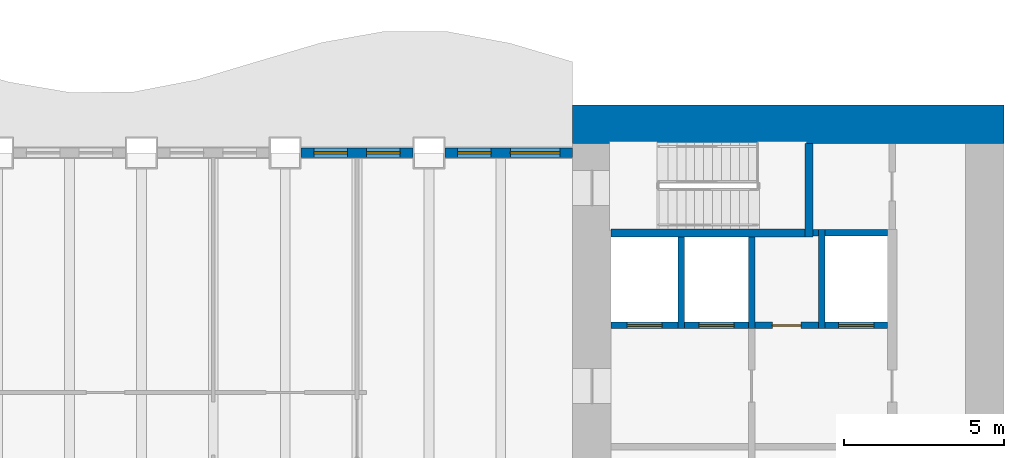
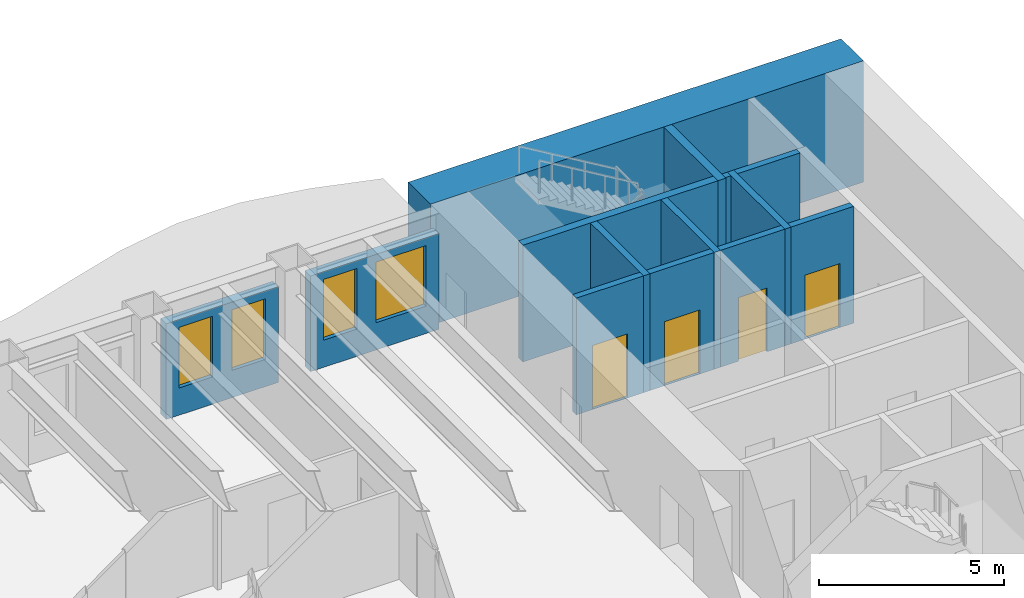
# One storey, part 7 of 16: 14 walls, 4 doors, 4 windows, 8 openings.
"""IFC4 building model written with IfcOpenShell, lengths in metres."""

import ifcopenshell
import ifcopenshell.guid

model = None  # the IFC model being written
_history = None  # IfcOwnerHistory: only IFC2X3 demands one
_inside = {}  # id of a spatial element -> (the spatial element, [elements in it])
_under = {}  # id of a project, library or spatial element -> (it, [spatial elements below it])
_declared = {}  # id of a project -> (the project, [libraries it declares])
_typed = {}  # id of a type object -> (the type object, [elements of that type])
_made_of = {}  # id of a material, layer set ... -> (it, [elements and type objects made of it])


def new_model(schema):
    """Start an empty IFC model of exactly this schema.

    Asked for "IFC4X3", IfcOpenShell would pick the latest addendum, in which some entities
    have other attributes; the version numbers below select the first issue.
    IFC2X3 requires an IfcOwnerHistory on every rooted entity: one is made here for all.
    """
    global model, _history
    if schema == "IFC4X3":
        model = ifcopenshell.file(schema_version=(4, 3, 0, 0))
    else:
        model = ifcopenshell.file(schema=schema)
    _inside.clear()
    _under.clear()
    _declared.clear()
    _typed.clear()
    _made_of.clear()
    _history = None
    if model.schema == "IFC2X3":
        org = make("IfcOrganization", Name="unknown")
        user = make(
            "IfcPersonAndOrganization",
            ThePerson=make("IfcPerson", FamilyName="unknown"),
            TheOrganization=org,
        )
        app = make(
            "IfcApplication",
            ApplicationDeveloper=org,
            Version="unknown",
            ApplicationFullName="unknown",
            ApplicationIdentifier="unknown",
        )
        _history = make(
            "IfcOwnerHistory",
            OwningUser=user,
            OwningApplication=app,
            ChangeAction="ADDED",
            CreationDate=0,
        )
    return model


def make(cls, **values):
    """One entity of the class cls with the attributes given. An attribute that is None is left unset."""
    return model.create_entity(
        cls, **{name: value for name, value in values.items() if value is not None}
    )


def rooted(cls, **values):
    """An entity with a GlobalId (a new one), such as an element, a storey or a relation."""
    return make(cls, GlobalId=ifcopenshell.guid.new(), OwnerHistory=_history, **values)


def si_unit(unit_type, name, prefix=None):
    """IfcSIUnit, for example si_unit("LENGTHUNIT", "METRE", prefix="MILLI")."""
    return make("IfcSIUnit", UnitType=unit_type, Prefix=prefix, Name=name)


def assignment(units):
    """IfcUnitAssignment: the units of a project."""
    return None if units is None else make("IfcUnitAssignment", Units=units)


def point(xyz):
    """IfcCartesianPoint."""
    return None if xyz is None else make("IfcCartesianPoint", Coordinates=xyz)


def direction(xyz):
    """IfcDirection."""
    return None if xyz is None else make("IfcDirection", DirectionRatios=xyz)


def frame(location, z_axis=None, x_axis=None):
    """IfcAxis2Placement3D, a coordinate frame: its origin and axes. An axis left out is left unset."""
    return make(
        "IfcAxis2Placement3D",
        Location=point(location),
        Axis=direction(z_axis),
        RefDirection=direction(x_axis),
    )


def frame_2d(location, x_axis=None):
    """IfcAxis2Placement2D, a coordinate frame in the plane: its origin and x axis."""
    return make(
        "IfcAxis2Placement2D", Location=point(location), RefDirection=direction(x_axis)
    )


def origin():
    """The frame at (0, 0, 0) with its axes left unset."""
    return frame((0.0, 0.0, 0.0))


def place(relative_to, where):
    """IfcLocalPlacement: puts the frame where relative to a parent placement (None: the world)."""
    return make(
        "IfcLocalPlacement", PlacementRelTo=relative_to, RelativePlacement=where
    )


def context(
    kind, dimensions, precision=None, world=None, true_north=None, identifier=None
):
    """IfcGeometricRepresentationContext, for example the 3D "Model" context."""
    return make(
        "IfcGeometricRepresentationContext",
        ContextIdentifier=identifier,
        ContextType=kind,
        CoordinateSpaceDimension=dimensions,
        Precision=precision,
        WorldCoordinateSystem=world,
        TrueNorth=true_north,
    )


def subcontext(parent, identifier, kind, view, scale=None):
    """IfcGeometricRepresentationSubContext, for example "Body" below "Model"."""
    return make(
        "IfcGeometricRepresentationSubContext",
        ContextIdentifier=identifier,
        ContextType=kind,
        ParentContext=parent,
        TargetScale=scale,
        TargetView=view,
    )


def project(units=None, contexts=None):
    """IfcProject with its units and contexts."""
    return rooted(
        "IfcProject",
        Name="project",
        RepresentationContexts=contexts,
        UnitsInContext=assignment(units),
    )


def spatial(cls, under=None, at=None, **own):
    """A site, building, storey or space (cls), placed at a placement, below another one or the project."""
    s = rooted(cls, ObjectPlacement=at, **own)
    if under is not None:
        _under.setdefault(under.id(), (under, []))[1].append(s)
    return s


def profile(cls, at=None, kind="AREA", **sizes):
    """A parametric profile (cls). Its sizes go by their IFC names, for example OverallWidth=200.0."""
    return make(cls, ProfileType=kind, Position=at, **sizes)


def rectangle(**sizes):
    """IfcRectangleProfileDef."""
    return profile("IfcRectangleProfileDef", **sizes)


def extrude(swept, where, along, depth):
    """IfcExtrudedAreaSolid: the profile swept, set in the frame where, extruded along a direction by depth."""
    return make(
        "IfcExtrudedAreaSolid",
        SweptArea=swept,
        Position=where,
        ExtrudedDirection=direction(along),
        Depth=depth,
    )


def shape(context_of_items, identifier, shape_type, items):
    """IfcShapeRepresentation: the items that make up one representation, for example the "Body"."""
    return make(
        "IfcShapeRepresentation",
        ContextOfItems=context_of_items,
        RepresentationIdentifier=identifier,
        RepresentationType=shape_type,
        Items=items,
    )


def material(Name=None, Category=None):
    """IfcMaterial."""
    return make("IfcMaterial", Name=Name, Category=Category)


def layer(
    of_material, thickness, ventilated=None, Name=None, Category=None, Priority=None
):
    """IfcMaterialLayer: one layer of a wall or slab, of a material (None: an air gap)."""
    return make(
        "IfcMaterialLayer",
        Material=of_material,
        LayerThickness=thickness,
        IsVentilated=ventilated,
        Name=Name,
        Category=Category,
        Priority=Priority,
    )


def layer_set(layers, Name=None):
    """IfcMaterialLayerSet."""
    return make("IfcMaterialLayerSet", MaterialLayers=layers, LayerSetName=Name)


def made_of(thing, what):
    """Note that an element or type object is made of a material, layer set ...; save() writes the relation."""
    if what is not None:
        _made_of.setdefault(what.id(), (what, []))[1].append(thing)
    return thing


def type_object(cls, material=None, **own):
    """A type object (cls), such as IfcWallType, which elements share."""
    return made_of(rooted(cls, **own), material)


def element(
    cls,
    number,
    at=None,
    inside=None,
    cuts=None,
    type_object=None,
    material=None,
    context=None,
    identifier="Body",
    shape_type=None,
    held_by="IfcProductDefinitionShape",
    body=None,
    shapes=None,
    **own,
):
    """One element of the class cls, such as IfcWall. Its Tag is "e" and its number.

    at: its placement. inside: the storey or other place that contains it. cuts: it is an
    opening in that element (IfcRelVoidsElement). A single representation is given by context,
    identifier, shape_type and body (its items); several are given by shapes. held_by: the class
    of the entity that holds the representations. save() writes the other relations.
    """
    e = rooted(cls, Tag="e%d" % number, ObjectPlacement=at, **own)
    if body is not None:
        shapes = [shape(context, identifier, shape_type, body)]
    if shapes is not None:
        e.Representation = make(held_by, Representations=shapes)
    if inside is not None:
        _inside.setdefault(inside.id(), (inside, []))[1].append(e)
    if cuts is not None:
        rooted(
            "IfcRelVoidsElement", RelatingBuildingElement=cuts, RelatedOpeningElement=e
        )
    if type_object is not None:
        _typed.setdefault(type_object.id(), (type_object, []))[1].append(e)
    return made_of(e, material)


def fill(opening, filler):
    """IfcRelFillsElement: the door or window that sits in an opening."""
    return rooted(
        "IfcRelFillsElement",
        RelatingOpeningElement=opening,
        RelatedBuildingElement=filler,
    )


def aggregate(whole, parts):
    """IfcRelAggregates: a whole, such as a stair, and the parts it consists of."""
    return rooted("IfcRelAggregates", RelatingObject=whole, RelatedObjects=parts)


def save(model, path):
    """Write the relations noted so far, then the file.

    IfcRelAggregates (storeys below a building ...), IfcRelContainedInSpatialStructure (elements
    in a storey), IfcRelDefinesByType, IfcRelAssociatesMaterial and IfcRelDeclares: one each for
    every whole, place, type object, material and project.
    """
    for whole, parts in _under.values():
        aggregate(whole, parts)
    for where, things in _inside.values():
        rooted(
            "IfcRelContainedInSpatialStructure",
            RelatedElements=things,
            RelatingStructure=where,
        )
    for kind, things in _typed.values():
        rooted("IfcRelDefinesByType", RelatedObjects=things, RelatingType=kind)
    for what, things in _made_of.values():
        rooted("IfcRelAssociatesMaterial", RelatedObjects=things, RelatingMaterial=what)
    for by, libraries in _declared.values():
        rooted("IfcRelDeclares", RelatingContext=by, RelatedDefinitions=libraries)
    model.write(path)


model = new_model("IFC4")

# Units and contexts
model_context = context("Model", 3, precision=1e-05, world=origin(), true_north=direction((0.0, 1.0)))
body_context = subcontext(model_context, "Body", "Model", "MODEL_VIEW")
ifc_project = project(units=[si_unit("LENGTHUNIT", "METRE"), si_unit("AREAUNIT", "SQUARE_METRE"), si_unit("VOLUMEUNIT", "CUBIC_METRE"), si_unit("PLANEANGLEUNIT", "RADIAN"), si_unit("MASSUNIT", "GRAM", prefix="KILO")], contexts=[model_context])

# Site, building, storey
site_placement = place(None, origin())
site = spatial("IfcSite", under=ifc_project, at=site_placement, CompositionType="ELEMENT")
building_placement = place(site_placement, origin())
building = spatial("IfcBuilding", under=site, at=building_placement, Name="Sennacour Bend Tower", CompositionType="ELEMENT")
storey_placement = place(building_placement, frame((0.0, 0.0, 91.0)))
storey = spatial("IfcBuildingStorey", under=building, at=storey_placement, Name="L20", CompositionType="ELEMENT", Elevation=91.0)

# Wall
ifc_material_1 = material(Name="Concrete C80/95", Category="concrete")
ifc_layer_1 = layer(ifc_material_1, 1.199951171875, Name="Concrete C80/95", Category="concrete")
ifc_layer_set_1 = layer_set([ifc_layer_1], Name="Concrete C80/95")
wall_type_1 = type_object("IfcWallType", Name="Core wall 1200 C80/95", PredefinedType="SHEAR", material=ifc_layer_set_1)
wall_1_placement = place(storey_placement, frame((54.0, 21.89990234375, -0.14990234375), z_axis=(0.0, 0.0, 1.0), x_axis=(1.0, 0.0, 0.0)))
element("IfcWall", 1, at=wall_1_placement, inside=storey, type_object=wall_type_1, Name="Core A wall L20 N", PredefinedType="SHEAR", context=body_context, shape_type="SweptSolid", body=[
    extrude(rectangle(XDim=13.5, YDim=1.199951171875, at=frame_2d((6.75, 0.0))), origin(), (0.0, 0.0, 1.0), 4.0),
])

# Wall, opening, door
ifc_material_2 = material(Name="Fire-rated plasterboard partition on steel studs", Category="steel")
ifc_layer_2 = layer(ifc_material_2, 0.199951171875, Name="Fire-rated plasterboard partition on steel studs", Category="steel")
ifc_layer_set_2 = layer_set([ifc_layer_2], Name="Fire-rated plasterboard partition on steel studs")
wall_type_2 = type_object("IfcWallType", Name="Rated partition 200", PredefinedType="PARTITIONING", material=ifc_layer_set_2)
wall_2_placement = place(storey_placement, frame((59.699951171875, 15.60009765625, 0.0), z_axis=(0.0, 0.0, 1.0), x_axis=(1.0, 0.0, 0.0)))
wall_2 = element("IfcWall", 2, at=wall_2_placement, inside=storey, type_object=wall_type_2, Name="P-L20-W062", PredefinedType="PARTITIONING", context=body_context, shape_type="SweptSolid", body=[
    extrude(rectangle(XDim=2.0, YDim=0.199951171875, at=frame_2d((1.0, 0.0))), origin(), (0.0, 0.0, 1.0), 3.85009765625),
])
opening_1_placement = place(wall_2_placement, frame((0.550048828125, 0.0, 0.0)))
opening_1 = element("IfcOpeningElement", 3, at=opening_1_placement, cuts=wall_2, Name="Opening SV", PredefinedType="OPENING", context=body_context, shape_type="SweptSolid", body=[
    extrude(rectangle(XDim=0.89990234375, YDim=2.10009765625, at=frame_2d((0.449951171875, 1.050048828125))), frame((0.0, 0.10986328125, 0.0), z_axis=(0.0, -1.0, 0.0), x_axis=(1.0, 0.0, 0.0)), (0.0, 0.0, 1.0), 0.219970703125),
])
ifc_material_3 = material(Name="Painted steel", Category="steel")
door_type_1 = type_object("IfcDoorType", Name="DR-SERVICE-900", OperationType="NOTDEFINED", PredefinedType="DOOR", material=ifc_material_3)
door_1_placement = place(opening_1_placement, origin())
door_1 = element("IfcDoor", 4, at=door_1_placement, inside=storey, type_object=door_type_1, Name="Door", OperationType="SINGLE_SWING_LEFT", OverallHeight=2.10009765625, OverallWidth=0.89990234375, PredefinedType="DOOR", context=body_context, shape_type="SweptSolid", body=[
    extrude(rectangle(XDim=0.89990234375, YDim=2.10009765625, at=frame_2d((0.449951171875, 1.050048828125))), frame((0.0, 0.02490234375, 0.0), z_axis=(0.0, -1.0, 0.0), x_axis=(1.0, 0.0, 0.0)), (0.0, 0.0, 1.0), 0.050048828125),
])
fill(opening_1, door_1)

# Wall
wall_3_placement = place(storey_placement, frame((61.52490234375, 18.5, 0.0), z_axis=(0.0, 0.0, 1.0), x_axis=(1.0, 0.0, 0.0)))
element("IfcWall", 5, at=wall_3_placement, inside=storey, type_object=wall_type_2, Name="P-L20-W065", PredefinedType="PARTITIONING", context=body_context, shape_type="SweptSolid", body=[
    extrude(rectangle(XDim=0.175048828125, YDim=0.199951171875, at=frame_2d((0.08740234375, 0.0))), origin(), (0.0, 0.0, 1.0), 3.85009765625),
])

# Wall, openings, windows
ifc_material_4 = material(Name="Warm limestone cladding", Category="masonry")
ifc_layer_3 = layer(ifc_material_4, 0.050048828125, Name="Warm limestone cladding", Category="masonry")
ifc_material_5 = material(Name="Precast concrete C40/50", Category="concrete")
ifc_layer_4 = layer(ifc_material_5, 0.25, Name="Precast concrete C40/50", Category="concrete")
ifc_layer_set_3 = layer_set([ifc_layer_3, ifc_layer_4], Name="Precast concrete C40/50 with limestone cladding")
wall_type_3 = type_object("IfcWallType", Name="STONE-CLAD PRECAST SPANDREL 300", PredefinedType="STANDARD", material=ifc_layer_set_3)
wall_4_placement = place(storey_placement, frame((54.0, 21.0, 0.0), z_axis=(0.0, 0.0, 1.0), x_axis=(-1.0, 0.0, 0.0)))
wall_4 = element("IfcWall", 6, at=wall_4_placement, inside=storey, type_object=wall_type_3, Name="Stone spandrel and pier wall L20 06.00", PredefinedType="STANDARD", context=body_context, shape_type="SweptSolid", body=[
    extrude(rectangle(XDim=4.0, YDim=0.300048828125, at=frame_2d((2.0, 0.0))), origin(), (0.0, 0.0, 1.0), 3.154052734375),
])
opening_2_placement = place(wall_4_placement, frame((0.39990234375, 0.0, 0.89990234375)))
opening_2 = element("IfcOpeningElement", 7, at=opening_2_placement, cuts=wall_4, Name="Opening W9", PredefinedType="OPENING", context=body_context, shape_type="SweptSolid", body=[
    extrude(rectangle(XDim=1.550048828125, YDim=2.0, at=frame_2d((0.77490234375, 1.0))), frame((0.0, 0.16015625, 0.0), z_axis=(0.0, -1.0, 0.0), x_axis=(1.0, 0.0, 0.0)), (0.0, 0.0, 1.0), 0.320068359375),
])
opening_3_placement = place(wall_4_placement, frame((2.550048828125, 0.0, 0.89990234375)))
opening_3 = element("IfcOpeningElement", 8, at=opening_3_placement, cuts=wall_4, Name="Opening W13", PredefinedType="OPENING", context=body_context, shape_type="SweptSolid", body=[
    extrude(rectangle(XDim=1.050048828125, YDim=2.0, at=frame_2d((0.52490234375, 1.0))), frame((0.0, 0.16015625, 0.0), z_axis=(0.0, -1.0, 0.0), x_axis=(1.0, 0.0, 0.0)), (0.0, 0.0, 1.0), 0.320068359375),
])
ifc_material_6 = material(Name="Clear low-emissivity glass", Category="glass")
window_type_1 = type_object("IfcWindowType", Name="WIN-RIBBON-1050x2000", PartitioningType="SINGLE_PANEL", PredefinedType="WINDOW", material=ifc_material_6)
window_1_placement = place(opening_3_placement, origin())
window_1 = element("IfcWindow", 9, at=window_1_placement, inside=storey, type_object=window_type_1, Name="Ribbon window L20 06.00.1", OverallHeight=2.0, OverallWidth=1.050048828125, PartitioningType="SINGLE_PANEL", PredefinedType="WINDOW", context=body_context, shape_type="SweptSolid", body=[
    extrude(rectangle(XDim=1.050048828125, YDim=2.0, at=frame_2d((0.52490234375, 1.0))), frame((0.0, 0.030029296875, 0.0), z_axis=(0.0, -1.0, 0.0), x_axis=(1.0, 0.0, 0.0)), (0.0, 0.0, 1.0), 0.06005859375),
])
fill(opening_3, window_1)
window_type_2 = type_object("IfcWindowType", Name="WIN-RIBBON-1550x2000", PartitioningType="SINGLE_PANEL", PredefinedType="WINDOW", material=ifc_material_6)
window_2_placement = place(opening_2_placement, origin())
window_2 = element("IfcWindow", 10, at=window_2_placement, inside=storey, type_object=window_type_2, Name="Ribbon window L20 06.00.0", OverallHeight=2.0, OverallWidth=1.550048828125, PartitioningType="SINGLE_PANEL", PredefinedType="WINDOW", context=body_context, shape_type="SweptSolid", body=[
    extrude(rectangle(XDim=1.550048828125, YDim=2.0, at=frame_2d((0.77490234375, 1.0))), frame((0.0, 0.030029296875, 0.0), z_axis=(0.0, -1.0, 0.0), x_axis=(1.0, 0.0, 0.0)), (0.0, 0.0, 1.0), 0.06005859375),
])
fill(opening_2, window_2)

wall_5_placement = place(storey_placement, frame((49.0, 21.0, 0.0), z_axis=(0.0, 0.0, 1.0), x_axis=(-1.0, 0.0, 0.0)))
wall_5 = element("IfcWall", 11, at=wall_5_placement, inside=storey, type_object=wall_type_3, Name="Stone spandrel and pier wall L20 06.01", PredefinedType="STANDARD", context=body_context, shape_type="SweptSolid", body=[
    extrude(rectangle(XDim=3.5, YDim=0.300048828125, at=frame_2d((1.75, 0.0))), origin(), (0.0, 0.0, 1.0), 3.154052734375),
])
opening_4_placement = place(wall_5_placement, frame((0.39990234375, 0.0, 0.89990234375)))
opening_4 = element("IfcOpeningElement", 12, at=opening_4_placement, cuts=wall_5, Name="Opening W13", PredefinedType="OPENING", context=body_context, shape_type="SweptSolid", body=[
    extrude(rectangle(XDim=1.050048828125, YDim=2.0, at=frame_2d((0.52490234375, 1.0))), frame((0.0, 0.16015625, 0.0), z_axis=(0.0, -1.0, 0.0), x_axis=(1.0, 0.0, 0.0)), (0.0, 0.0, 1.0), 0.320068359375),
])
opening_5_placement = place(wall_5_placement, frame((2.050048828125, 0.0, 0.89990234375)))
opening_5 = element("IfcOpeningElement", 13, at=opening_5_placement, cuts=wall_5, Name="Opening W13", PredefinedType="OPENING", context=body_context, shape_type="SweptSolid", body=[
    extrude(rectangle(XDim=1.050048828125, YDim=2.0, at=frame_2d((0.52490234375, 1.0))), frame((0.0, 0.16015625, 0.0), z_axis=(0.0, -1.0, 0.0), x_axis=(1.0, 0.0, 0.0)), (0.0, 0.0, 1.0), 0.320068359375),
])
window_3_placement = place(opening_4_placement, origin())
window_3 = element("IfcWindow", 14, at=window_3_placement, inside=storey, type_object=window_type_1, Name="Ribbon window L20 06.01.0", OverallHeight=2.0, OverallWidth=1.050048828125, PartitioningType="SINGLE_PANEL", PredefinedType="WINDOW", context=body_context, shape_type="SweptSolid", body=[
    extrude(rectangle(XDim=1.050048828125, YDim=2.0, at=frame_2d((0.52490234375, 1.0))), frame((0.0, 0.030029296875, 0.0), z_axis=(0.0, -1.0, 0.0), x_axis=(1.0, 0.0, 0.0)), (0.0, 0.0, 1.0), 0.06005859375),
])
fill(opening_4, window_3)
window_4_placement = place(opening_5_placement, origin())
window_4 = element("IfcWindow", 15, at=window_4_placement, inside=storey, type_object=window_type_1, Name="Ribbon window L20 06.01.1", OverallHeight=2.0, OverallWidth=1.050048828125, PartitioningType="SINGLE_PANEL", PredefinedType="WINDOW", context=body_context, shape_type="SweptSolid", body=[
    extrude(rectangle(XDim=1.050048828125, YDim=2.0, at=frame_2d((0.52490234375, 1.0))), frame((0.0, 0.030029296875, 0.0), z_axis=(0.0, -1.0, 0.0), x_axis=(1.0, 0.0, 0.0)), (0.0, 0.0, 1.0), 0.06005859375),
])
fill(opening_5, window_4)

# Walls
ifc_material_7 = material(Name="Concrete C50/60", Category="concrete")
ifc_layer_5 = layer(ifc_material_7, 0.199951171875, Name="Concrete C50/60", Category="concrete")
ifc_layer_set_4 = layer_set([ifc_layer_5], Name="Concrete C50/60")
wall_type_4 = type_object("IfcWallType", Name="Shaft wall 200", PredefinedType="SOLIDWALL", material=ifc_layer_set_4)
for number, where, z_axis, x_axis, name in (
    (16, (57.39990234375, 15.5, 0.0), (0.0, 0.0, 1.0), (0.0, 1.0, 0.0), "P-L20-W037"),
    (17, (59.60009765625, 15.5, 0.0), (0.0, 0.0, 1.0), (0.0, 1.0, 0.0), "P-L20-W040"),
):
    element("IfcWall", number, at=place(storey_placement, frame(where, z_axis=z_axis, x_axis=x_axis)), inside=storey, type_object=wall_type_4, Name=name, PredefinedType="SOLIDWALL", context=body_context, shape_type="SweptSolid", body=[
        extrude(rectangle(XDim=2.875, YDim=0.199951171875, at=frame_2d((1.4375, 0.0))), origin(), (0.0, 0.0, 1.0), 3.85009765625),
    ])
wall_6_placement = place(storey_placement, frame((61.800048828125, 15.5, 0.0), z_axis=(0.0, 0.0, 1.0), x_axis=(0.0, 1.0, 0.0)))
element("IfcWall", 18, at=wall_6_placement, inside=storey, type_object=wall_type_4, Name="P-L20-W044", PredefinedType="SOLIDWALL", context=body_context, shape_type="SweptSolid", body=[
    extrude(rectangle(XDim=3.10009765625, YDim=0.199951171875, at=frame_2d((1.550048828125, 0.0))), origin(), (0.0, 0.0, 1.0), 3.85009765625),
])

# Wall, opening, door
wall_7_placement = place(storey_placement, frame((55.199951171875, 15.60009765625, 0.0), z_axis=(0.0, 0.0, 1.0), x_axis=(1.0, 0.0, 0.0)))
wall_7 = element("IfcWall", 19, at=wall_7_placement, inside=storey, type_object=wall_type_4, Name="P-L20-W061a", PredefinedType="SOLIDWALL", context=body_context, shape_type="SweptSolid", body=[
    extrude(rectangle(XDim=2.10009765625, YDim=0.199951171875, at=frame_2d((1.050048828125, 0.0))), origin(), (0.0, 0.0, 1.0), 3.85009765625),
])
opening_6_placement = place(wall_7_placement, frame((0.5, 0.0, 0.011962890625)))
opening_6 = element("IfcOpeningElement", 20, at=opening_6_placement, cuts=wall_7, Name="Opening FLD", PredefinedType="OPENING", context=body_context, shape_type="SweptSolid", body=[
    extrude(rectangle(XDim=1.10009765625, YDim=2.10009765625, at=frame_2d((0.550048828125, 1.050048828125))), frame((0.0, 0.10986328125, 0.0), z_axis=(0.0, -1.0, 0.0), x_axis=(1.0, 0.0, 0.0)), (0.0, 0.0, 1.0), 0.219970703125),
])
ifc_material_8 = material(Name="Stainless steel", Category="steel")
door_type_2 = type_object("IfcDoorType", Name="DR-FF-LANDING-1100", OperationType="NOTDEFINED", PredefinedType="DOOR", material=ifc_material_8)
door_2_placement = place(opening_6_placement, origin())
door_2 = element("IfcDoor", 21, at=door_2_placement, inside=storey, type_object=door_type_2, Name="Fire service lift landing door FA1", OperationType="SLIDING_TO_LEFT", OverallHeight=2.10009765625, OverallWidth=1.10009765625, PredefinedType="DOOR", context=body_context, shape_type="SweptSolid", body=[
    extrude(rectangle(XDim=1.10009765625, YDim=2.10009765625, at=frame_2d((0.550048828125, 1.050048828125))), frame((0.0, 0.02490234375, 0.0), z_axis=(0.0, -1.0, 0.0), x_axis=(1.0, 0.0, 0.0)), (0.0, 0.0, 1.0), 0.050048828125),
])
fill(opening_6, door_2)

wall_8_placement = place(storey_placement, frame((57.5, 15.60009765625, 0.0), z_axis=(0.0, 0.0, 1.0), x_axis=(1.0, 0.0, 0.0)))
wall_8 = element("IfcWall", 22, at=wall_8_placement, inside=storey, type_object=wall_type_4, Name="P-L20-W061b", PredefinedType="SOLIDWALL", context=body_context, shape_type="SweptSolid", body=[
    extrude(rectangle(XDim=2.0, YDim=0.199951171875, at=frame_2d((1.0, 0.0))), origin(), (0.0, 0.0, 1.0), 3.85009765625),
])
opening_7_placement = place(wall_8_placement, frame((0.449951171875, 0.0, 0.011962890625)))
opening_7 = element("IfcOpeningElement", 23, at=opening_7_placement, cuts=wall_8, Name="Opening FLD", PredefinedType="OPENING", context=body_context, shape_type="SweptSolid", body=[
    extrude(rectangle(XDim=1.10009765625, YDim=2.10009765625, at=frame_2d((0.550048828125, 1.050048828125))), frame((0.0, 0.10986328125, 0.0), z_axis=(0.0, -1.0, 0.0), x_axis=(1.0, 0.0, 0.0)), (0.0, 0.0, 1.0), 0.219970703125),
])
door_3_placement = place(opening_7_placement, origin())
door_3 = element("IfcDoor", 24, at=door_3_placement, inside=storey, type_object=door_type_2, Name="Fire service lift landing door FA2", OperationType="SLIDING_TO_RIGHT", OverallHeight=2.10009765625, OverallWidth=1.10009765625, PredefinedType="DOOR", context=body_context, shape_type="SweptSolid", body=[
    extrude(rectangle(XDim=1.10009765625, YDim=2.10009765625, at=frame_2d((0.550048828125, 1.050048828125))), frame((0.0, 0.02490234375, 0.0), z_axis=(0.0, -1.0, 0.0), x_axis=(1.0, 0.0, 0.0)), (0.0, 0.0, 1.0), 0.050048828125),
])
fill(opening_7, door_3)

wall_9_placement = place(storey_placement, frame((61.89990234375, 15.60009765625, 0.0), z_axis=(0.0, 0.0, 1.0), x_axis=(1.0, 0.0, 0.0)))
wall_9 = element("IfcWall", 25, at=wall_9_placement, inside=storey, type_object=wall_type_4, Name="P-L20-W063", PredefinedType="SOLIDWALL", context=body_context, shape_type="SweptSolid", body=[
    extrude(rectangle(XDim=1.9501953125, YDim=0.199951171875, at=frame_2d((0.97509765625, 0.0))), origin(), (0.0, 0.0, 1.0), 3.85009765625),
])
opening_8_placement = place(wall_9_placement, frame((0.425048828125, 0.0, 0.011962890625)))
opening_8 = element("IfcOpeningElement", 26, at=opening_8_placement, cuts=wall_9, Name="Opening LD", PredefinedType="OPENING", context=body_context, shape_type="SweptSolid", body=[
    extrude(rectangle(XDim=1.10009765625, YDim=2.10009765625, at=frame_2d((0.550048828125, 1.050048828125))), frame((0.0, 0.10986328125, 0.0), z_axis=(0.0, -1.0, 0.0), x_axis=(1.0, 0.0, 0.0)), (0.0, 0.0, 1.0), 0.219970703125),
])
door_type_3 = type_object("IfcDoorType", Name="DR-LANDING-1100", OperationType="NOTDEFINED", PredefinedType="DOOR", material=ifc_material_8)
door_4_placement = place(opening_8_placement, origin())
door_4 = element("IfcDoor", 27, at=door_4_placement, inside=storey, type_object=door_type_3, Name="Lift landing door LA5", OperationType="SLIDING_TO_LEFT", OverallHeight=2.10009765625, OverallWidth=1.10009765625, PredefinedType="DOOR", context=body_context, shape_type="SweptSolid", body=[
    extrude(rectangle(XDim=1.10009765625, YDim=2.10009765625, at=frame_2d((0.550048828125, 1.050048828125))), frame((0.0, 0.02490234375, 0.0), z_axis=(0.0, -1.0, 0.0), x_axis=(1.0, 0.0, 0.0)), (0.0, 0.0, 1.0), 0.050048828125),
])
fill(opening_8, door_4)

# Walls
wall_10_placement = place(storey_placement, frame((61.89990234375, 18.5, 0.0), z_axis=(0.0, 0.0, 1.0), x_axis=(1.0, 0.0, 0.0)))
element("IfcWall", 28, at=wall_10_placement, inside=storey, type_object=wall_type_4, Name="P-L20-W066", PredefinedType="SOLIDWALL", context=body_context, shape_type="SweptSolid", body=[
    extrude(rectangle(XDim=1.9501953125, YDim=0.199951171875, at=frame_2d((0.97509765625, 0.0))), origin(), (0.0, 0.0, 1.0), 3.85009765625),
])
ifc_material_9 = material(Name="Concrete C60/75", Category="concrete")
ifc_layer_6 = layer(ifc_material_9, 0.25, Name="Concrete C60/75", Category="concrete")
ifc_layer_set_5 = layer_set([ifc_layer_6], Name="Concrete C60/75")
wall_type_5 = type_object("IfcWallType", Name="Stair wall 250", PredefinedType="SHEAR", material=ifc_layer_set_5)
wall_11_placement = place(storey_placement, frame((61.39990234375, 18.375, 0.0), z_axis=(0.0, 0.0, 1.0), x_axis=(0.0, 1.0, 0.0)))
element("IfcWall", 29, at=wall_11_placement, inside=storey, type_object=wall_type_5, Name="P-L20-W042", PredefinedType="SHEAR", context=body_context, shape_type="SweptSolid", body=[
    extrude(rectangle(XDim=2.925048828125, YDim=0.25, at=frame_2d((1.46240234375, 0.0))), origin(), (0.0, 0.0, 1.0), 3.85009765625),
])
wall_12_placement = place(storey_placement, frame((55.199951171875, 18.5, 0.0), z_axis=(0.0, 0.0, 1.0), x_axis=(1.0, 0.0, 0.0)))
element("IfcWall", 30, at=wall_12_placement, inside=storey, type_object=wall_type_5, Name="P-L20-W064", PredefinedType="SHEAR", context=body_context, shape_type="SweptSolid", body=[
    extrude(rectangle(XDim=6.074951171875, YDim=0.25, at=frame_2d((3.03759765625, 0.0))), origin(), (0.0, 0.0, 1.0), 3.85009765625),
])

save(model, "model.ifc")
